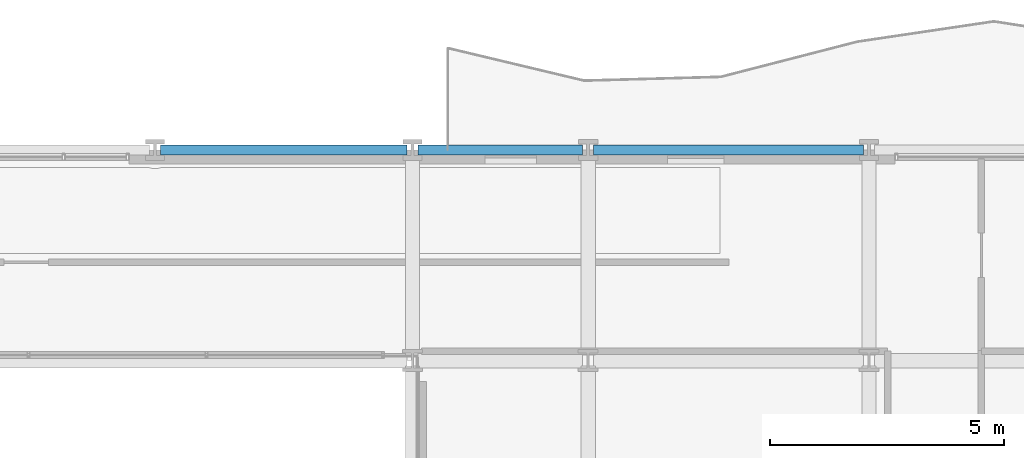
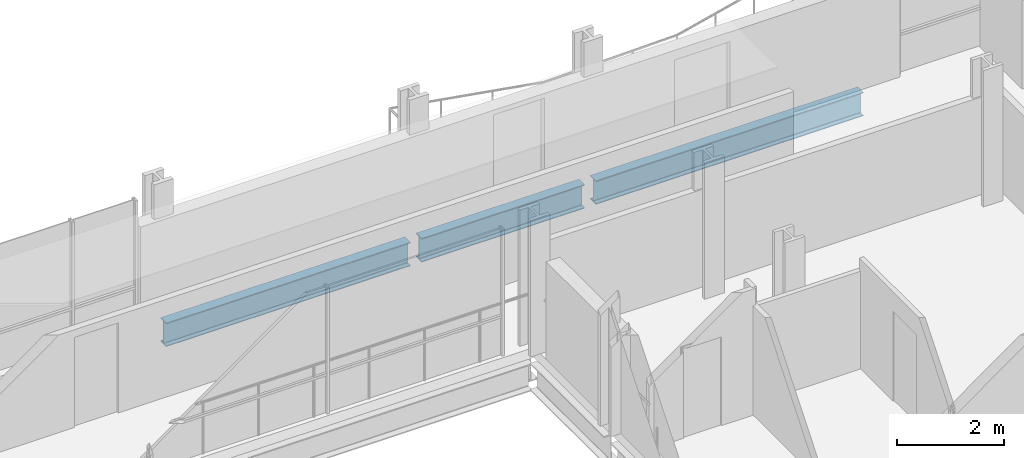
# One storey, part 23 of 41: 3 beams.
"""IFC4 building model written with IfcOpenShell, lengths in metres."""

from ifc_helpers import new_model, si_unit, direction, frame, origin, origin_2d, place, context, subcontext, project, spatial, i_section, extrude, material, material_profile, profile_set, type_object, element, save


model = new_model("IFC4")

# Units and contexts
model_context = context("Model", 3, precision=1e-05, world=origin(), true_north=direction((0.0, 1.0)))
body_context = subcontext(model_context, "Body", "Model", "MODEL_VIEW")
ifc_project = project(units=[si_unit("LENGTHUNIT", "METRE"), si_unit("AREAUNIT", "SQUARE_METRE"), si_unit("VOLUMEUNIT", "CUBIC_METRE"), si_unit("PLANEANGLEUNIT", "RADIAN"), si_unit("MASSUNIT", "GRAM", prefix="KILO")], contexts=[model_context])

# Site, building, storey
site_placement = place(None, origin())
site = spatial("IfcSite", under=ifc_project, at=site_placement, CompositionType="ELEMENT")
building_placement = place(site_placement, origin())
building = spatial("IfcBuilding", under=site, at=building_placement, Name="Brevholm Reach", CompositionType="ELEMENT")
storey_placement = place(building_placement, frame((0.0, 0.0, 55.89990234375)))
storey = spatial("IfcBuildingStorey", under=building, at=storey_placement, Name="L15", CompositionType="ELEMENT", Elevation=55.89990234375)

# Beams
ifc_material = material(Name="Structural Steel S355J2", Category="steel")
ifc_material_profile = material_profile(ifc_material, i_section(OverallWidth=0.210693359375, OverallDepth=0.53955078125, WebThickness=0.01171875, FlangeThickness=0.018798828125, FilletRadius=0.0126953125, at=origin_2d()), Name="UKB 533x210x109")
ifc_profile_set = profile_set([ifc_material_profile], Name="Structural Steel S355J2")
beam_type = type_object("IfcBeamType", Name="BM-SP539", PredefinedType="SPANDREL", material=ifc_profile_set)
beam_1_placement = place(storey_placement, frame((32.8701171875, 31.0, -0.499755859375), z_axis=(1.0, 0.0, 0.0), x_axis=(0.0, 1.0, 0.0)))
element("IfcBeam", 1, at=beam_1_placement, inside=storey, type_object=beam_type, Name="L15 SP-01B Framing Beam", PredefinedType="SPANDREL", context=body_context, shape_type="SweptSolid", body=[
    extrude(i_section(OverallWidth=0.210693359375, OverallDepth=0.53955078125, WebThickness=0.01171875, FlangeThickness=0.018798828125, FilletRadius=0.0126953125, at=origin_2d()), origin(), (0.0, 0.0, 1.0), 5.259765625),
])
beam_2_placement = place(storey_placement, frame((38.3701171875, 31.0, -0.499755859375), z_axis=(1.0, 0.0, 0.0), x_axis=(0.0, 1.0, 0.0)))
element("IfcBeam", 2, at=beam_2_placement, inside=storey, type_object=beam_type, Name="L15 SP-01B Framing Beam", PredefinedType="SPANDREL", context=body_context, shape_type="SweptSolid", body=[
    extrude(i_section(OverallWidth=0.210693359375, OverallDepth=0.53955078125, WebThickness=0.01171875, FlangeThickness=0.018798828125, FilletRadius=0.0126953125, at=origin_2d()), origin(), (0.0, 0.0, 1.0), 3.509765625),
])
beam_3_placement = place(storey_placement, frame((42.1201171875, 31.0, -0.499755859375), z_axis=(1.0, 0.0, 0.0), x_axis=(0.0, 1.0, 0.0)))
element("IfcBeam", 3, at=beam_3_placement, inside=storey, type_object=beam_type, Name="L15 SP-01B Framing Beam", PredefinedType="SPANDREL", context=body_context, shape_type="SweptSolid", body=[
    extrude(i_section(OverallWidth=0.210693359375, OverallDepth=0.53955078125, WebThickness=0.01171875, FlangeThickness=0.018798828125, FilletRadius=0.0126953125, at=origin_2d()), origin(), (0.0, 0.0, 1.0), 5.759765625),
])

save(model, "model.ifc")
